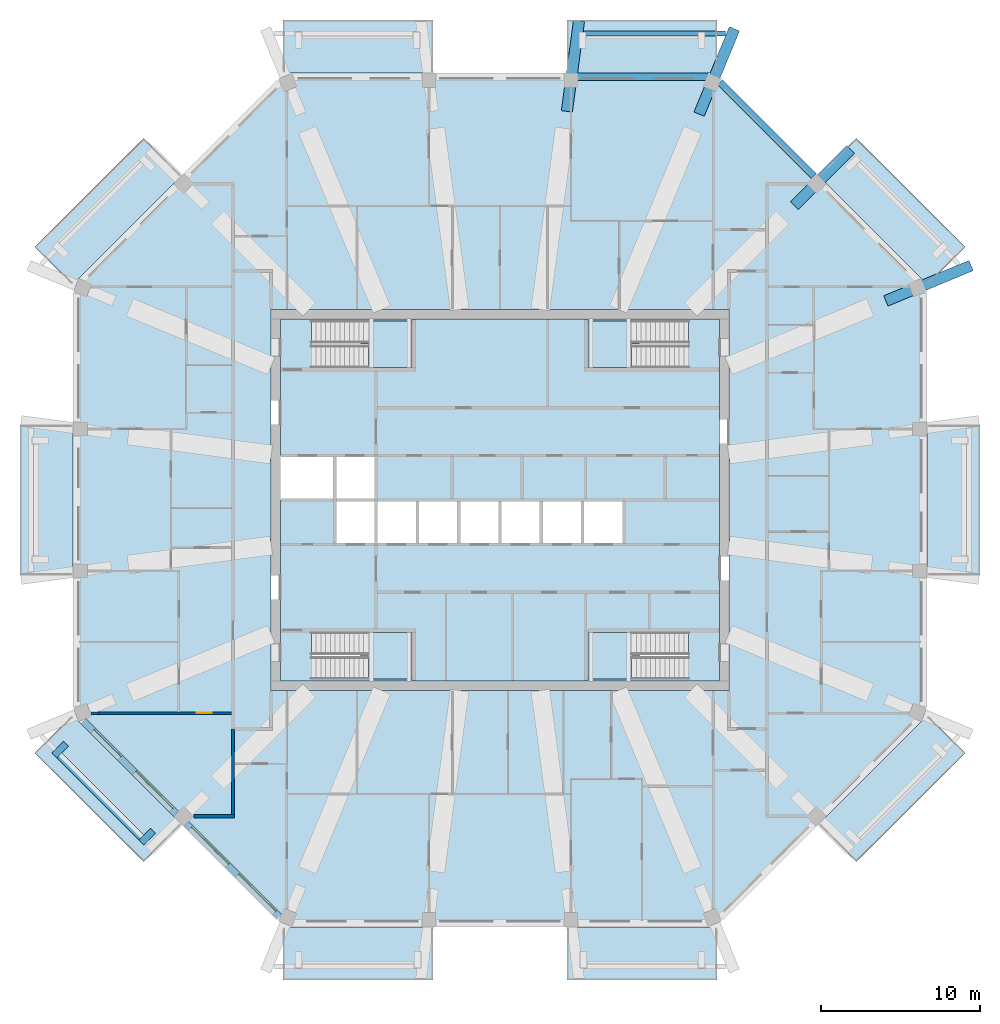
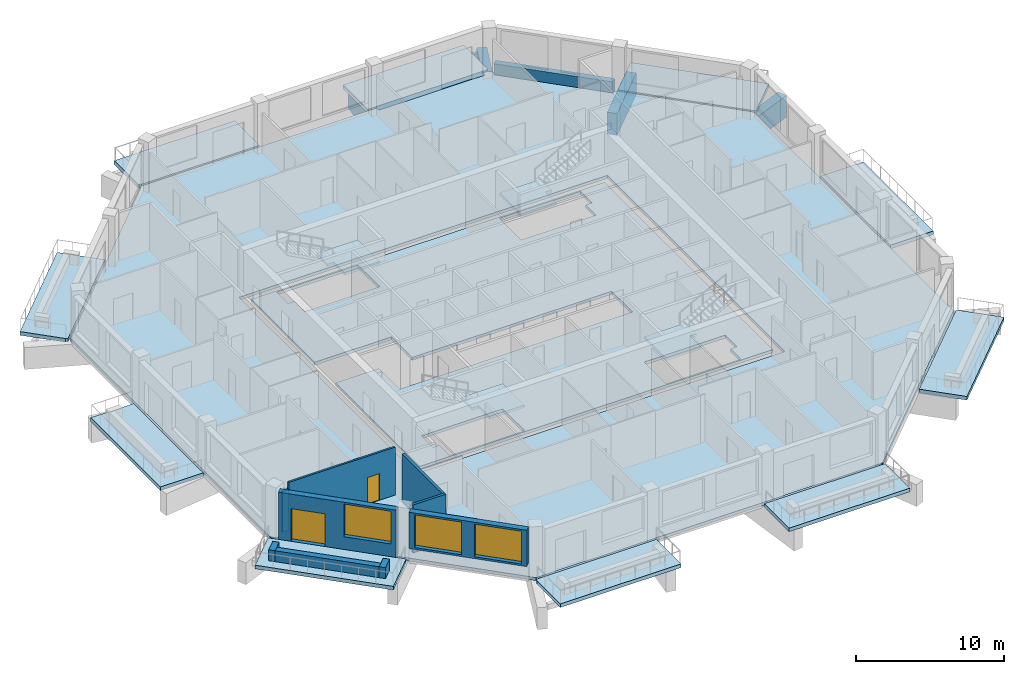
# One storey, part 2 of 12: 16 slabs, 9 walls, 7 beams, 3 windows, 2 doors, 5 openings, 4 elements without a shape of their own.
"""IFC4 building model written with IfcOpenShell, lengths in metres."""

from ifc_helpers import new_model, si_unit, direction, frame, frame_2d, origin, origin_2d, place, context, subcontext, project, spatial, polyline, rectangle, outline, extrude, material, layer, layer_set, material_profile, profile_set, type_object, element, fill, aggregate, save


model = new_model("IFC4")

# Units and contexts
model_context = context("Model", 3, precision=1e-05, world=origin(), true_north=direction((0.0, 1.0)))
body_context = subcontext(model_context, "Body", "Model", "MODEL_VIEW")
ifc_project = project(units=[si_unit("LENGTHUNIT", "METRE"), si_unit("AREAUNIT", "SQUARE_METRE"), si_unit("VOLUMEUNIT", "CUBIC_METRE"), si_unit("PLANEANGLEUNIT", "RADIAN"), si_unit("MASSUNIT", "GRAM", prefix="KILO")], contexts=[model_context])

# Site, building, storey
site_placement = place(None, origin())
site = spatial("IfcSite", under=ifc_project, at=site_placement, CompositionType="ELEMENT")
building_placement = place(site_placement, origin())
building = spatial("IfcBuilding", under=site, at=building_placement, Name="Msitu Wima Residences", CompositionType="ELEMENT")
storey_placement = place(building_placement, frame((0.0, 0.0, 213.89990234375)))
storey = spatial("IfcBuildingStorey", under=building, at=storey_placement, Name="L49", CompositionType="ELEMENT", Elevation=213.89990234375)

# Beams
ifc_material_1 = material(Name="Concrete C50/60", Category="concrete")
ifc_material_profile_1 = material_profile(ifc_material_1, rectangle(XDim=0.300048828125, YDim=0.449951171875, at=origin_2d()), Name="RC 300x450")
ifc_profile_set_1 = profile_set([ifc_material_profile_1], Name="Concrete C50/60")
beam_type_1 = type_object("IfcBeamType", Name="Balcony tip beam RC 300x450 Concrete C50/60", PredefinedType="BEAM", material=ifc_profile_set_1)
beam_1_placement = place(storey_placement, frame((14.1982421875, 29.343505859375, -0.52490234375), z_axis=(-1.0, 0.0, 0.0), x_axis=(0.0, -1.0, 0.0)))
element("IfcBeam", 1, at=beam_1_placement, inside=storey, type_object=beam_type_1, Name="Balcony tip beam L49 BA-N0", PredefinedType="BEAM", context=body_context, shape_type="SweptSolid", body=[
    extrude(rectangle(XDim=0.300048828125, YDim=0.449951171875, at=origin_2d()), origin(), (0.0, 0.0, 1.0), 8.939453125),
])
ifc_material_2 = material(Name="Concrete C80/95", Category="concrete")
ifc_material_profile_2 = material_profile(ifc_material_2, rectangle(XDim=0.699951171875, YDim=1.800048828125, at=origin_2d()), Name="RC 700x1800")
ifc_profile_set_2 = profile_set([ifc_material_profile_2], Name="Concrete C80/95")
beam_type_2 = type_object("IfcBeamType", Name="Cantilever girder RC 700x1800 Concrete C80/95", PredefinedType="BEAM", material=ifc_profile_set_2)
beam_2_placement = place(storey_placement, frame((24.27783203125, 12.52685546875, -1.14990234375), z_axis=(0.923873374647, 0.382698298425, 0.0), x_axis=(-0.382698298425, 0.923873374647, 0.0)))
element("IfcBeam", 2, at=beam_2_placement, inside=storey, type_object=beam_type_2, Name="Cantilever girder L49-BA-NE0-A", PredefinedType="BEAM", context=body_context, shape_type="SweptSolid", body=[
    extrude(rectangle(XDim=0.699951171875, YDim=1.800048828125, at=origin_2d()), origin(), (0.0, 0.0, 1.0), 5.807861328125),
])
beam_3_placement = place(storey_placement, frame((18.524169921875, 18.524169921875, -1.14990234375), z_axis=(0.707106781187, 0.707106781187, 0.0), x_axis=(-0.707106781187, 0.707106781187, 0.0)))
element("IfcBeam", 3, at=beam_3_placement, inside=storey, type_object=beam_type_2, Name="Cantilever girder L49-BA-NE0-B", PredefinedType="BEAM", context=body_context, shape_type="SweptSolid", body=[
    extrude(rectangle(XDim=0.699951171875, YDim=1.800048828125, at=origin_2d()), origin(), (0.0, 0.0, 1.0), 5.000732421875),
])
beam_4_placement = place(storey_placement, frame((12.52685546875, 24.27783203125, -1.14990234375), z_axis=(0.382662417828, 0.923888236738, 0.0), x_axis=(-0.923888236738, 0.382662417828, 0.0)))
element("IfcBeam", 4, at=beam_4_placement, inside=storey, type_object=beam_type_2, Name="Cantilever girder L49-BA-N0-A", PredefinedType="BEAM", context=body_context, shape_type="SweptSolid", body=[
    extrude(rectangle(XDim=0.699951171875, YDim=1.800048828125, at=origin_2d()), origin(), (0.0, 0.0, 1.0), 5.807861328125),
])
beam_5_placement = place(storey_placement, frame((4.20751953125, 24.449951171875, -1.14990234375), z_axis=(0.132718713727, 0.991153743385, 0.0), x_axis=(-0.991153743385, 0.132718713727, 0.0)))
element("IfcBeam", 5, at=beam_5_placement, inside=storey, type_object=beam_type_2, Name="Cantilever girder L49-BA-N0-B", PredefinedType="BEAM", context=body_context, shape_type="SweptSolid", body=[
    extrude(rectangle(XDim=0.699951171875, YDim=1.800048828125, at=origin_2d()), origin(), (0.0, 0.0, 1.0), 5.73388671875),
])
ifc_material_profile_3 = material_profile(ifc_material_1, rectangle(XDim=0.449951171875, YDim=0.300048828125, at=origin_2d()), Name="RC 450x300")
ifc_profile_set_3 = profile_set([ifc_material_profile_3], Name="Concrete C50/60")
beam_type_3 = type_object("IfcBeamType", Name="Edge beam RC 450x300 Concrete C50/60", PredefinedType="SPANDREL", material=ifc_profile_set_3)
beam_6_placement = place(storey_placement, frame((13.13232421875, 26.625, -0.14990234375), z_axis=(-1.0, 0.0, 0.0), x_axis=(0.0, -1.0, 0.0)))
element("IfcBeam", 6, at=beam_6_placement, inside=storey, type_object=beam_type_3, Name="Spandrel L49 N0", PredefinedType="SPANDREL", context=body_context, shape_type="SweptSolid", body=[
    extrude(rectangle(XDim=0.449951171875, YDim=0.300048828125, at=origin_2d()), origin(), (0.0, 0.0, 1.0), 8.29248046875),
])
ifc_material_profile_4 = material_profile(ifc_material_1, rectangle(XDim=0.449951171875, YDim=1.199951171875, at=origin_2d()), Name="RC 450x1200")
ifc_profile_set_4 = profile_set([ifc_material_profile_4], Name="Concrete C50/60")
beam_type_4 = type_object("IfcBeamType", Name="Spandrel RC 450x1200 Concrete C50/60", PredefinedType="SPANDREL", material=ifc_profile_set_4)
beam_7_placement = place(storey_placement, frame((19.743896484375, 20.380126953125, 0.300048828125), z_axis=(-0.707106781187, 0.707106781187, 0.0), x_axis=(-0.707106781187, -0.707106781187, 0.0)))
element("IfcBeam", 7, at=beam_7_placement, inside=storey, type_object=beam_type_4, Name="Spandrel L49 NE1", PredefinedType="SPANDREL", context=body_context, shape_type="SweptSolid", body=[
    extrude(rectangle(XDim=0.449951171875, YDim=1.199951171875, at=origin_2d()), origin(), (0.0, 0.0, 1.0), 8.3564453125),
])

# Slabs
ifc_material_3 = material(Name="Concrete C40/50", Category="concrete")
ifc_layer_1 = layer(ifc_material_3, 0.300048828125)
ifc_layer_set_1 = layer_set([ifc_layer_1], Name="Concrete C40/50")
slab_type_1 = type_object("IfcSlabType", Name="Balcony slab BS300", PredefinedType="FLOOR", material=ifc_layer_set_1)
slab_1_placement = place(storey_placement, frame((0.0, 0.0, -0.2998046875)))
element("IfcSlab", 8, at=slab_1_placement, inside=storey, type_object=slab_type_1, Name="Balcony E1 L49", PredefinedType="FLOOR", context=body_context, shape_type="SweptSolid", body=[
    extrude(outline(polyline([(26.85009765625, -4.0185546875), (26.85009765625, 4.0185546875), (26.85009765625, 4.71875), (30.199951171875, 4.71875), (30.199951171875, -4.71875), (26.85009765625, -4.71875), (26.85009765625, -4.0185546875)])), origin(), (0.0, 0.0, 1.0), 0.2998046875),
])
slab_2_placement = place(storey_placement, frame((0.0, 0.0, -0.2998046875)))
element("IfcSlab", 9, at=slab_2_placement, inside=storey, type_object=slab_type_1, Name="Balcony NE0 L49", PredefinedType="FLOOR", context=body_context, shape_type="SweptSolid", body=[
    extrude(outline(polyline([(26.505615234375, 13.936767578125), (26.505615234375, 13.936767578125), (20.04443359375, 20.39794921875), (22.4130859375, 22.766845703125), (29.263671875, 15.916015625), (27.003662109375, 13.656005859375), (26.85009765625, 13.59228515625), (26.505615234375, 13.936767578125), (26.505615234375, 13.936767578125)])), origin(), (0.0, 0.0, 1.0), 0.2998046875),
])
slab_3_placement = place(storey_placement, frame((0.0, 0.0, -0.2998046875)))
element("IfcSlab", 10, at=slab_3_placement, inside=storey, type_object=slab_type_1, Name="Balcony N0 L49", PredefinedType="FLOOR", context=body_context, shape_type="SweptSolid", body=[
    extrude(outline(polyline([(13.105224609375, 26.85009765625), (13.105224609375, 26.85009765625), (4.918701171875, 26.85009765625), (4.21875, 26.85009765625), (4.21875, 30.199951171875), (13.656005859375, 30.199951171875), (13.656005859375, 27.003662109375), (13.59228515625, 26.85009765625), (13.105224609375, 26.85009765625), (13.105224609375, 26.85009765625)])), origin(), (0.0, 0.0, 1.0), 0.2998046875),
])
slab_4_placement = place(storey_placement, frame((0.0, 0.0, -0.2998046875)))
element("IfcSlab", 11, at=slab_4_placement, inside=storey, type_object=slab_type_1, Name="Balcony N2 L49", PredefinedType="FLOOR", context=body_context, shape_type="SweptSolid", body=[
    extrude(outline(polyline([(-13.105224609375, 26.85009765625), (-13.105224609375, 26.85009765625), (-13.105224609375, 26.85009765625), (-13.59228515625, 26.85009765625), (-13.656005859375, 27.003662109375), (-13.656005859375, 30.199951171875), (-4.21875, 30.199951171875), (-4.21875, 26.85009765625), (-4.918701171875, 26.85009765625), (-13.105224609375, 26.85009765625)])), origin(), (0.0, 0.0, 1.0), 0.2998046875),
])
slab_5_placement = place(storey_placement, frame((0.0, 0.0, -0.2998046875)))
element("IfcSlab", 12, at=slab_5_placement, inside=storey, type_object=slab_type_1, Name="Balcony NW1 L49", PredefinedType="FLOOR", context=body_context, shape_type="SweptSolid", body=[
    extrude(outline(polyline([(-26.505615234375, 13.936767578125), (-26.505615234375, 13.936767578125), (-26.85009765625, 13.59228515625), (-27.003662109375, 13.656005859375), (-29.263671875, 15.916015625), (-22.4130859375, 22.766845703125), (-20.04443359375, 20.39794921875), (-26.505615234375, 13.936767578125), (-26.505615234375, 13.936767578125)])), origin(), (0.0, 0.0, 1.0), 0.2998046875),
])
slab_6_placement = place(storey_placement, frame((0.0, 0.0, -0.2998046875)))
element("IfcSlab", 13, at=slab_6_placement, inside=storey, type_object=slab_type_1, Name="Balcony W1 L49", PredefinedType="FLOOR", context=body_context, shape_type="SweptSolid", body=[
    extrude(outline(polyline([(-26.85009765625, 4.0185546875), (-26.85009765625, -4.0185546875), (-26.85009765625, -4.71875), (-30.199951171875, -4.71875), (-30.199951171875, 4.71875), (-26.85009765625, 4.71875), (-26.85009765625, 4.0185546875)])), origin(), (0.0, 0.0, 1.0), 0.2998046875),
])
slab_7_placement = place(storey_placement, frame((0.0, 0.0, -0.2998046875)))
element("IfcSlab", 14, at=slab_7_placement, inside=storey, type_object=slab_type_1, Name="Balcony SW0 L49", PredefinedType="FLOOR", context=body_context, shape_type="SweptSolid", body=[
    extrude(outline(polyline([(-26.505615234375, -13.936767578125), (-26.505615234375, -13.936767578125), (-20.04443359375, -20.39794921875), (-22.4130859375, -22.766845703125), (-29.263671875, -15.916015625), (-27.003662109375, -13.656005859375), (-26.85009765625, -13.59228515625), (-26.505615234375, -13.936767578125), (-26.505615234375, -13.936767578125)])), origin(), (0.0, 0.0, 1.0), 0.2998046875),
])
slab_8_placement = place(storey_placement, frame((0.0, 0.0, -0.2998046875)))
element("IfcSlab", 15, at=slab_8_placement, inside=storey, type_object=slab_type_1, Name="Balcony S0 L49", PredefinedType="FLOOR", context=body_context, shape_type="SweptSolid", body=[
    extrude(outline(polyline([(-13.105224609375, -26.85009765625), (-13.105224609375, -26.85009765625), (-4.918701171875, -26.85009765625), (-4.21875, -26.85009765625), (-4.21875, -30.199951171875), (-13.656005859375, -30.199951171875), (-13.656005859375, -27.003662109375), (-13.59228515625, -26.85009765625), (-13.105224609375, -26.85009765625), (-13.105224609375, -26.85009765625)])), origin(), (0.0, 0.0, 1.0), 0.2998046875),
])
slab_9_placement = place(storey_placement, frame((0.0, 0.0, -0.2998046875)))
element("IfcSlab", 16, at=slab_9_placement, inside=storey, type_object=slab_type_1, Name="Balcony S2 L49", PredefinedType="FLOOR", context=body_context, shape_type="SweptSolid", body=[
    extrude(outline(polyline([(13.105224609375, -26.85009765625), (13.105224609375, -26.85009765625), (13.105224609375, -26.85009765625), (13.59228515625, -26.85009765625), (13.656005859375, -27.003662109375), (13.656005859375, -30.199951171875), (4.21875, -30.199951171875), (4.21875, -26.85009765625), (4.918701171875, -26.85009765625), (13.105224609375, -26.85009765625)])), origin(), (0.0, 0.0, 1.0), 0.2998046875),
])
slab_10_placement = place(storey_placement, frame((0.0, 0.0, -0.2998046875)))
element("IfcSlab", 17, at=slab_10_placement, inside=storey, type_object=slab_type_1, Name="Balcony SE1 L49", PredefinedType="FLOOR", context=body_context, shape_type="SweptSolid", body=[
    extrude(outline(polyline([(26.505615234375, -13.936767578125), (26.505615234375, -13.936767578125), (26.85009765625, -13.59228515625), (27.003662109375, -13.656005859375), (29.263671875, -15.916015625), (22.4130859375, -22.766845703125), (20.04443359375, -20.39794921875), (26.505615234375, -13.936767578125), (26.505615234375, -13.936767578125)])), origin(), (0.0, 0.0, 1.0), 0.2998046875),
])
ifc_layer_2 = layer(ifc_material_3, 0.25)
ifc_layer_set_2 = layer_set([ifc_layer_2], Name="Concrete C40/50")
slab_type_2 = type_object("IfcSlabType", Name="Core floor CF250", PredefinedType="FLOOR", material=ifc_layer_set_2)
slab_11_placement = place(storey_placement, frame((0.0, 0.0, -0.25)))
element("IfcSlab", 18, at=slab_11_placement, inside=storey, type_object=slab_type_2, Name="Core floor", PredefinedType="FLOOR", context=body_context, shape_type="SweptSolid", body=[
    extrude(outline(polyline([(-13.800048828125, 11.39990234375), (-13.800048828125, 2.800048828125), (-10.39990234375, 2.800048828125), (-7.800048828125, 2.800048828125), (-7.800048828125, 0.0), (-5.199951171875, 0.0), (-2.60009765625, 0.0), (0.0, 0.0), (2.60009765625, 0.0), (5.199951171875, 0.0), (7.800048828125, 0.0), (7.800048828125, -2.800048828125), (5.199951171875, -2.800048828125), (2.60009765625, -2.800048828125), (0.0, -2.800048828125), (-2.60009765625, -2.800048828125), (-5.199951171875, -2.800048828125), (-7.800048828125, -2.800048828125), (-10.39990234375, -2.800048828125), (-10.39990234375, 0.0), (-13.800048828125, 0.0), (-13.800048828125, -11.39990234375), (13.800048828125, -11.39990234375), (13.800048828125, 11.39990234375), (-13.800048828125, 11.39990234375)]), holes=[polyline([(-11.375, -11.27490234375), (-11.375, -9.875), (-11.87451171875, -9.875), (-11.87451171875, -8.324951171875), (-5.52490234375, -8.324951171875), (-5.52490234375, -11.27490234375), (-11.375, -11.27490234375)]), polyline([(-11.375, 8.324951171875), (-11.375, 9.72509765625), (-11.87451171875, 9.72509765625), (-11.87451171875, 11.27490234375), (-5.52490234375, 11.27490234375), (-5.52490234375, 8.324951171875), (-11.375, 8.324951171875)]), polyline([(11.375, -9.875), (11.375, -11.27490234375), (5.52490234375, -11.27490234375), (5.52490234375, -8.324951171875), (11.87451171875, -8.324951171875), (11.87451171875, -9.875), (11.375, -9.875)]), polyline([(11.375, 9.72509765625), (11.375, 8.324951171875), (5.52490234375, 8.324951171875), (5.52490234375, 11.27490234375), (11.87451171875, 11.27490234375), (11.87451171875, 9.72509765625), (11.375, 9.72509765625)])]), origin(), (0.0, 0.0, 1.0), 0.25),
])
ifc_layer_3 = layer(ifc_material_3, 0.25)
ifc_layer_set_3 = layer_set([ifc_layer_3], Name="Concrete C40/50")
slab_type_3 = type_object("IfcSlabType", Name="PT flat slab 250 Concrete C40/50", PredefinedType="FLOOR", material=ifc_layer_set_3)
slab_12_placement = place(storey_placement, frame((0.0, 0.0, -0.25)))
element("IfcSlab", 19, at=slab_12_placement, inside=storey, type_object=slab_type_3, Name="Floor slab L49", PredefinedType="FLOOR", context=body_context, shape_type="SweptSolid", body=[
    extrude(outline(polyline([(26.699951171875, -13.5302734375), (13.5302734375, -26.699951171875), (-13.5302734375, -26.699951171875), (-26.699951171875, -13.5302734375), (-26.699951171875, 13.5302734375), (-13.5302734375, 26.699951171875), (13.5302734375, 26.699951171875), (26.699951171875, 13.5302734375), (26.699951171875, -13.5302734375)]), holes=[polyline([(-14.39990234375, -12.0), (14.39990234375, -12.0), (14.39990234375, 12.0), (-14.39990234375, 12.0), (-14.39990234375, -12.0)])]), origin(), (0.0, 0.0, 1.0), 0.25),
])

# Stair, slab
stair_type = type_object("IfcStairType", Name="Exit stair ES1615-140", PredefinedType="HALF_TURN_STAIR", material=ifc_material_3)
stair_1_placement = place(storey_placement, origin())
stair_1 = element("IfcStair", 20, at=stair_1_placement, inside=storey, type_object=stair_type, Name="Exit stair 1", PredefinedType="HALF_TURN_STAIR")
ifc_layer_4 = layer(ifc_material_3, 0.199951171875)
ifc_layer_set_4 = layer_set([ifc_layer_4], Name="Concrete C40/50")
slab_type_4 = type_object("IfcSlabType", Name="Stair landing SL200", PredefinedType="LANDING", material=ifc_layer_set_4)
slab_13_placement = place(storey_placement, frame((0.0, 0.0, 1.900146484375)))
slab_13 = element("IfcSlab", 21, at=slab_13_placement, type_object=slab_type_4, Name="S1 landing 1", PredefinedType="LANDING", context=body_context, shape_type="SweptSolid", body=[
    extrude(outline(polyline([(-5.52490234375, 8.324951171875), (-8.275390625, 8.324951171875), (-8.275390625, 9.800048828125), (-8.77490234375, 9.800048828125), (-8.77490234375, 11.27490234375), (-5.52490234375, 11.27490234375), (-5.52490234375, 8.324951171875)])), origin(), (0.0, 0.0, 1.0), 0.199951171875),
])
aggregate(stair_1, [slab_13])

stair_2_placement = place(storey_placement, origin())
stair_2 = element("IfcStair", 22, at=stair_2_placement, inside=storey, type_object=stair_type, Name="Exit stair 2", PredefinedType="HALF_TURN_STAIR")
slab_14_placement = place(storey_placement, frame((0.0, 0.0, 1.900146484375)))
slab_14 = element("IfcSlab", 23, at=slab_14_placement, type_object=slab_type_4, Name="S2 landing 1", PredefinedType="LANDING", context=body_context, shape_type="SweptSolid", body=[
    extrude(outline(polyline([(-5.52490234375, -11.27490234375), (-8.275390625, -11.27490234375), (-8.275390625, -9.800048828125), (-8.77490234375, -9.800048828125), (-8.77490234375, -8.324951171875), (-5.52490234375, -8.324951171875), (-5.52490234375, -11.27490234375)])), origin(), (0.0, 0.0, 1.0), 0.199951171875),
])
aggregate(stair_2, [slab_14])

stair_3_placement = place(storey_placement, origin())
stair_3 = element("IfcStair", 24, at=stair_3_placement, inside=storey, type_object=stair_type, Name="Exit stair 3", PredefinedType="HALF_TURN_STAIR")
slab_15_placement = place(storey_placement, frame((0.0, 0.0, 1.900146484375)))
slab_15 = element("IfcSlab", 25, at=slab_15_placement, type_object=slab_type_4, Name="S3 landing 1", PredefinedType="LANDING", context=body_context, shape_type="SweptSolid", body=[
    extrude(outline(polyline([(5.52490234375, 8.324951171875), (8.275390625, 8.324951171875), (8.275390625, 9.800048828125), (8.77490234375, 9.800048828125), (8.77490234375, 11.27490234375), (5.52490234375, 11.27490234375), (5.52490234375, 8.324951171875)])), origin(), (0.0, 0.0, 1.0), 0.199951171875),
])
aggregate(stair_3, [slab_15])

stair_4_placement = place(storey_placement, origin())
stair_4 = element("IfcStair", 26, at=stair_4_placement, inside=storey, type_object=stair_type, Name="Exit stair 4", PredefinedType="HALF_TURN_STAIR")
slab_16_placement = place(storey_placement, frame((0.0, 0.0, 1.900146484375)))
slab_16 = element("IfcSlab", 27, at=slab_16_placement, type_object=slab_type_4, Name="S4 landing 1", PredefinedType="LANDING", context=body_context, shape_type="SweptSolid", body=[
    extrude(outline(polyline([(5.52490234375, -11.27490234375), (8.275390625, -11.27490234375), (8.275390625, -9.800048828125), (8.77490234375, -9.800048828125), (8.77490234375, -8.324951171875), (5.52490234375, -8.324951171875), (5.52490234375, -11.27490234375)])), origin(), (0.0, 0.0, 1.0), 0.199951171875),
])
aggregate(stair_4, [slab_16])

# Walls
ifc_material_4 = material(Name="Facing brick")
ifc_layer_5 = layer(ifc_material_4, 0.06494140625, Name="Facing brick")
ifc_layer_6 = layer(ifc_material_3, 0.156005859375, Name="Concrete C40/50")
ifc_material_5 = material(Name="Waterproofing membrane")
ifc_layer_7 = layer(ifc_material_5, 0.00390625, Name="Waterproofing membrane")
ifc_material_6 = material(Name="Planting soil and planting")
ifc_layer_8 = layer(ifc_material_6, 0.22509765625, Name="Planting soil and planting")
ifc_layer_set_5 = layer_set([ifc_layer_5, ifc_layer_6, ifc_layer_7, ifc_layer_8], Name="Concrete C40/50")
wall_type_1 = type_object("IfcWallType", Name="Balcony planter PLANTER PL450", PredefinedType="USERDEFINED", material=ifc_layer_set_5)
wall_1_placement = place(storey_placement, frame((-27.725830078125, -16.0751953125, 0.0), z_axis=(0.0, 0.0, 1.0), x_axis=(0.707106781187, -0.707106781187, 0.0)))
element("IfcWall", 28, at=wall_1_placement, inside=storey, type_object=wall_type_1, Name="Balcony planter SW0 L49", ObjectType="PLANTER", PredefinedType="USERDEFINED", context=body_context, shape_type="SweptSolid", body=[
    extrude(rectangle(XDim=7.288330078125, YDim=0.449951171875, at=frame_2d((3.64404296875, 0.0))), origin(), (0.0, 0.0, 1.0), 0.900146484375),
])
for number, where, z_axis, x_axis, name in (
    (29, (-27.301513671875, -15.332763671875, 0.0), (0.0, 0.0, 1.0), (-0.707106781187, -0.707106781187, 0.0), "Balcony planter SW0 L49"),
    (30, (-21.829833984375, -20.804443359375, 0.0), (0.0, 0.0, 1.0), (-0.707106781187, -0.707106781187, 0.0), "Balcony planter SW0 L49"),
):
    element("IfcWall", number, at=place(storey_placement, frame(where, z_axis=z_axis, x_axis=x_axis)), inside=storey, type_object=wall_type_1, Name=name, ObjectType="PLANTER", PredefinedType="USERDEFINED", context=body_context, shape_type="SweptSolid", body=[
        extrude(rectangle(XDim=1.050048828125, YDim=0.449951171875, at=frame_2d((0.52490234375, 0.0))), origin(), (0.0, 0.0, 1.0), 0.900146484375),
    ])

# Wall, openings, door, window
ifc_material_7 = material(Name="Brick (red buff mix)", Category="masonry")
ifc_layer_9 = layer(ifc_material_7, 0.449951171875)
ifc_layer_set_6 = layer_set([ifc_layer_9], Name="Brick (red buff mix)")
wall_type_2 = type_object("IfcWallType", Name="Brick infill wall BW450", PredefinedType="SOLIDWALL", material=ifc_layer_set_6)
wall_2_placement = place(storey_placement, frame((-26.214599609375, -13.909423828125, 0.0), z_axis=(0.0, 0.0, 1.0), x_axis=(0.707106781187, -0.707106781187, 0.0)))
wall_2 = element("IfcWall", 31, at=wall_2_placement, inside=storey, type_object=wall_type_2, Name="Brick infill wall L49 SW0", PredefinedType="SOLIDWALL", context=body_context, shape_type="SweptSolid", body=[
    extrude(rectangle(XDim=8.251220703125, YDim=0.449951171875, at=frame_2d((4.12548828125, 0.0))), origin(), (0.0, 0.0, 1.0), 3.900146484375),
])
opening_1_placement = place(wall_2_placement, frame((0.86279296875, 0.0, 0.0)))
opening_1 = element("IfcOpeningElement", 32, at=opening_1_placement, cuts=wall_2, Name="Opening D49.009", PredefinedType="OPENING", context=body_context, shape_type="SweptSolid", body=[
    extrude(rectangle(XDim=2.39990234375, YDim=2.699951171875, at=frame_2d((1.199951171875, 1.35009765625))), frame((0.0, 0.23486328125, 0.0), z_axis=(0.0, -1.0, 0.0), x_axis=(1.0, 0.0, 0.0)), (0.0, 0.0, 1.0), 0.469970703125),
])
opening_2_placement = place(wall_2_placement, frame((4.57568359375, 0.0, 1.050048828125)))
opening_2 = element("IfcOpeningElement", 33, at=opening_2_placement, cuts=wall_2, Name="Opening W49.023", PredefinedType="OPENING", context=body_context, shape_type="SweptSolid", body=[
    extrude(rectangle(XDim=3.300048828125, YDim=2.699951171875, at=frame_2d((1.64990234375, 1.35009765625))), frame((0.0, 0.23486328125, 0.0), z_axis=(0.0, -1.0, 0.0), x_axis=(1.0, 0.0, 0.0)), (0.0, 0.0, 1.0), 0.469970703125),
])
ifc_material_8 = material(Name="Anodised aluminium, bronze finish, clear low-emissivity double glazing", Category="aluminium")
door_type_1 = type_object("IfcDoorType", Name="Balcony door D2400x2700", OperationType="SLIDING_TO_LEFT", PredefinedType="DOOR", material=ifc_material_8)
door_1_placement = place(opening_1_placement, origin())
door_1 = element("IfcDoor", 34, at=door_1_placement, inside=storey, type_object=door_type_1, Name="Balcony door L49 SW0", OperationType="SINGLE_SWING_LEFT", OverallHeight=2.699951171875, OverallWidth=2.39990234375, PredefinedType="DOOR", context=body_context, shape_type="SweptSolid", body=[
    extrude(rectangle(XDim=2.39990234375, YDim=2.699951171875, at=frame_2d((1.199951171875, 1.35009765625))), frame((0.0, 0.1298828125, 0.0), z_axis=(0.0, -1.0, 0.0), x_axis=(1.0, 0.0, 0.0)), (0.0, 0.0, 1.0), 0.050048828125),
])
fill(opening_1, door_1)
window_type = type_object("IfcWindowType", Name="Window W3300x2700", PartitioningType="DOUBLE_PANEL_VERTICAL", PredefinedType="WINDOW", material=ifc_material_8)
window_1_placement = place(opening_2_placement, origin())
window_1 = element("IfcWindow", 35, at=window_1_placement, inside=storey, type_object=window_type, Name="Window L49 SW0.2", OverallHeight=2.699951171875, OverallWidth=3.300048828125, PartitioningType="SINGLE_PANEL", PredefinedType="WINDOW", context=body_context, shape_type="SweptSolid", body=[
    extrude(rectangle(XDim=3.300048828125, YDim=2.699951171875, at=frame_2d((1.64990234375, 1.35009765625))), frame((0.0, 0.135009765625, 0.0), z_axis=(0.0, -1.0, 0.0), x_axis=(1.0, 0.0, 0.0)), (0.0, 0.0, 1.0), 0.06005859375),
])
fill(opening_2, window_1)

# Wall, openings, windows
wall_3_placement = place(storey_placement, frame((-19.743896484375, -20.380126953125, 0.900146484375), z_axis=(0.0, 0.0, 1.0), x_axis=(0.707106781187, -0.707106781187, 0.0)))
wall_3 = element("IfcWall", 36, at=wall_3_placement, inside=storey, type_object=wall_type_2, Name="Brick infill wall L49 SW1", PredefinedType="SOLIDWALL", context=body_context, shape_type="SweptSolid", body=[
    extrude(rectangle(XDim=8.251220703125, YDim=0.449951171875, at=frame_2d((4.12548828125, 0.0))), origin(), (0.0, 0.0, 1.0), 3.0),
])
opening_3_placement = place(wall_3_placement, frame((0.37548828125, 0.0, 0.14990234375)))
opening_3 = element("IfcOpeningElement", 37, at=opening_3_placement, cuts=wall_3, Name="Opening W49.024", PredefinedType="OPENING", context=body_context, shape_type="SweptSolid", body=[
    extrude(rectangle(XDim=3.300048828125, YDim=2.699951171875, at=frame_2d((1.64990234375, 1.35009765625))), frame((0.0, 0.23486328125, 0.0), z_axis=(0.0, -1.0, 0.0), x_axis=(1.0, 0.0, 0.0)), (0.0, 0.0, 1.0), 0.469970703125),
])
opening_4_placement = place(wall_3_placement, frame((4.57568359375, 0.0, 0.14990234375)))
opening_4 = element("IfcOpeningElement", 38, at=opening_4_placement, cuts=wall_3, Name="Opening W49.025", PredefinedType="OPENING", context=body_context, shape_type="SweptSolid", body=[
    extrude(rectangle(XDim=3.300048828125, YDim=2.699951171875, at=frame_2d((1.64990234375, 1.35009765625))), frame((0.0, 0.23486328125, 0.0), z_axis=(0.0, -1.0, 0.0), x_axis=(1.0, 0.0, 0.0)), (0.0, 0.0, 1.0), 0.469970703125),
])
window_2_placement = place(opening_3_placement, origin())
window_2 = element("IfcWindow", 39, at=window_2_placement, inside=storey, type_object=window_type, Name="Window L49 SW1.1", OverallHeight=2.699951171875, OverallWidth=3.300048828125, PartitioningType="SINGLE_PANEL", PredefinedType="WINDOW", context=body_context, shape_type="SweptSolid", body=[
    extrude(rectangle(XDim=3.300048828125, YDim=2.699951171875, at=frame_2d((1.64990234375, 1.35009765625))), frame((0.0, 0.135009765625, 0.0), z_axis=(0.0, -1.0, 0.0), x_axis=(1.0, 0.0, 0.0)), (0.0, 0.0, 1.0), 0.06005859375),
])
fill(opening_3, window_2)
window_3_placement = place(opening_4_placement, origin())
window_3 = element("IfcWindow", 40, at=window_3_placement, inside=storey, type_object=window_type, Name="Window L49 SW1.2", OverallHeight=2.699951171875, OverallWidth=3.300048828125, PartitioningType="SINGLE_PANEL", PredefinedType="WINDOW", context=body_context, shape_type="SweptSolid", body=[
    extrude(rectangle(XDim=3.300048828125, YDim=2.699951171875, at=frame_2d((1.64990234375, 1.35009765625))), frame((0.0, 0.135009765625, 0.0), z_axis=(0.0, -1.0, 0.0), x_axis=(1.0, 0.0, 0.0)), (0.0, 0.0, 1.0), 0.06005859375),
])
fill(opening_4, window_3)

# Wall
ifc_material_9 = material(Name="Plaster")
ifc_layer_10 = layer(ifc_material_9, 0.011962890625, Name="Plaster")
ifc_material_10 = material(Name="Concrete blockwork", Category="masonry")
ifc_layer_11 = layer(ifc_material_10, 0.1259765625, Name="Concrete blockwork")
ifc_layer_12 = layer(ifc_material_9, 0.011962890625, Name="Plaster")
ifc_layer_set_7 = layer_set([ifc_layer_10, ifc_layer_11, ifc_layer_12], Name="Concrete blockwork")
wall_type_3 = type_object("IfcWallType", Name="Partition PW150", PredefinedType="PARTITIONING", material=ifc_layer_set_7)
wall_4_placement = place(storey_placement, frame((-25.731201171875, -13.406005859375, 0.0), z_axis=(0.0, 0.0, 1.0), x_axis=(1.0, 0.0, 0.0)))
element("IfcWall", 41, at=wall_4_placement, inside=storey, type_object=wall_type_3, Name="Partition", PredefinedType="PARTITIONING", context=body_context, shape_type="SweptSolid", body=[
    extrude(rectangle(XDim=0.507080078125, YDim=0.14990234375, at=frame_2d((0.25341796875, 0.0))), origin(), (0.0, 0.0, 1.0), 3.35009765625),
])

# Wall, opening, door
wall_5_placement = place(storey_placement, frame((-25.22412109375, -13.406005859375, 0.0), z_axis=(0.0, 0.0, 1.0), x_axis=(1.0, 0.0, 0.0)))
wall_5 = element("IfcWall", 42, at=wall_5_placement, inside=storey, type_object=wall_type_3, Name="Partition", PredefinedType="PARTITIONING", context=body_context, shape_type="SweptSolid", body=[
    extrude(rectangle(XDim=8.32421875, YDim=0.14990234375, at=frame_2d((4.162109375, 0.0))), origin(), (0.0, 0.0, 1.0), 3.9501953125),
])
opening_5_placement = place(wall_5_placement, frame((6.142822265625, 0.0, 0.0)))
opening_5 = element("IfcOpeningElement", 43, at=opening_5_placement, cuts=wall_5, Name="Opening D49.036", PredefinedType="OPENING", context=body_context, shape_type="SweptSolid", body=[
    extrude(rectangle(XDim=0.949951171875, YDim=2.199951171875, at=frame_2d((0.47509765625, 1.10009765625))), frame((0.0, 0.0849609375, 0.0), z_axis=(0.0, -1.0, 0.0), x_axis=(1.0, 0.0, 0.0)), (0.0, 0.0, 1.0), 0.169921875),
])
ifc_material_11 = material(Name="Timber flush door", Category="wood")
door_type_2 = type_object("IfcDoorType", Name="Room door D12 950x2200", OperationType="SINGLE_SWING_LEFT", PredefinedType="DOOR", material=ifc_material_11)
door_2_placement = place(opening_5_placement, origin())
door_2 = element("IfcDoor", 44, at=door_2_placement, inside=storey, type_object=door_type_2, Name="Room door", OperationType="SINGLE_SWING_LEFT", OverallHeight=2.199951171875, OverallWidth=0.949951171875, PredefinedType="DOOR", context=body_context, shape_type="SweptSolid", body=[
    extrude(rectangle(XDim=0.949951171875, YDim=2.199951171875, at=frame_2d((0.47509765625, 1.10009765625))), frame((0.0, 0.02490234375, 0.0), z_axis=(0.0, -1.0, 0.0), x_axis=(1.0, 0.0, 0.0)), (0.0, 0.0, 1.0), 0.050048828125),
])
fill(opening_5, door_2)

# Walls
ifc_layer_13 = layer(ifc_material_9, 0.011962890625, Name="Plaster")
ifc_material_12 = material(Name="Dense concrete blockwork", Category="masonry")
ifc_layer_14 = layer(ifc_material_12, 0.176025390625, Name="Dense concrete blockwork")
ifc_layer_15 = layer(ifc_material_9, 0.011962890625, Name="Plaster")
ifc_layer_set_8 = layer_set([ifc_layer_13, ifc_layer_14, ifc_layer_15], Name="Dense concrete blockwork")
wall_type_4 = type_object("IfcWallType", Name="Party wall PW200", PredefinedType="PARTITIONING", material=ifc_layer_set_8)
wall_6_placement = place(storey_placement, frame((-19.2666015625, -19.90283203125, 0.0), z_axis=(0.0, 0.0, 1.0), x_axis=(1.0, 0.0, 0.0)))
element("IfcWall", 45, at=wall_6_placement, inside=storey, type_object=wall_type_4, Name="Party wall", PredefinedType="PARTITIONING", context=body_context, shape_type="SweptSolid", body=[
    extrude(rectangle(XDim=2.566650390625, YDim=0.199951171875, at=frame_2d((1.283203125, 0.0))), origin(), (0.0, 0.0, 1.0), 3.9501953125),
])
wall_7_placement = place(storey_placement, frame((-16.800048828125, -19.802978515625, 0.0), z_axis=(0.0, 0.0, 1.0), x_axis=(0.0, 1.0, 0.0)))
element("IfcWall", 46, at=wall_7_placement, inside=storey, type_object=wall_type_4, Name="Party wall", PredefinedType="PARTITIONING", context=body_context, shape_type="SweptSolid", body=[
    extrude(rectangle(XDim=5.403076171875, YDim=0.199951171875, at=frame_2d((2.70166015625, 0.0))), origin(), (0.0, 0.0, 1.0), 3.9501953125),
])

save(model, "model.ifc")
